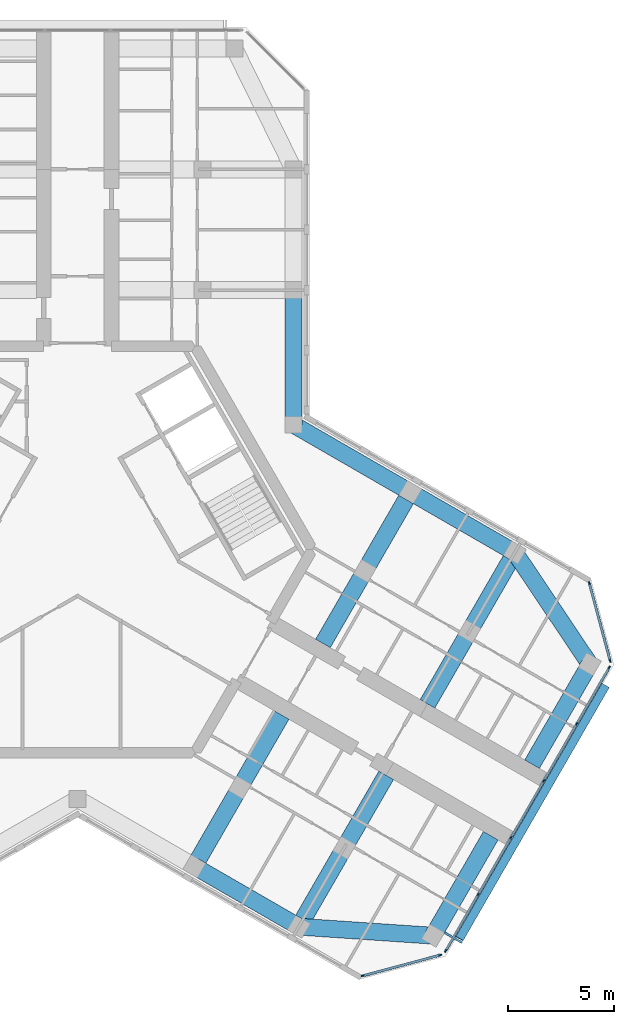
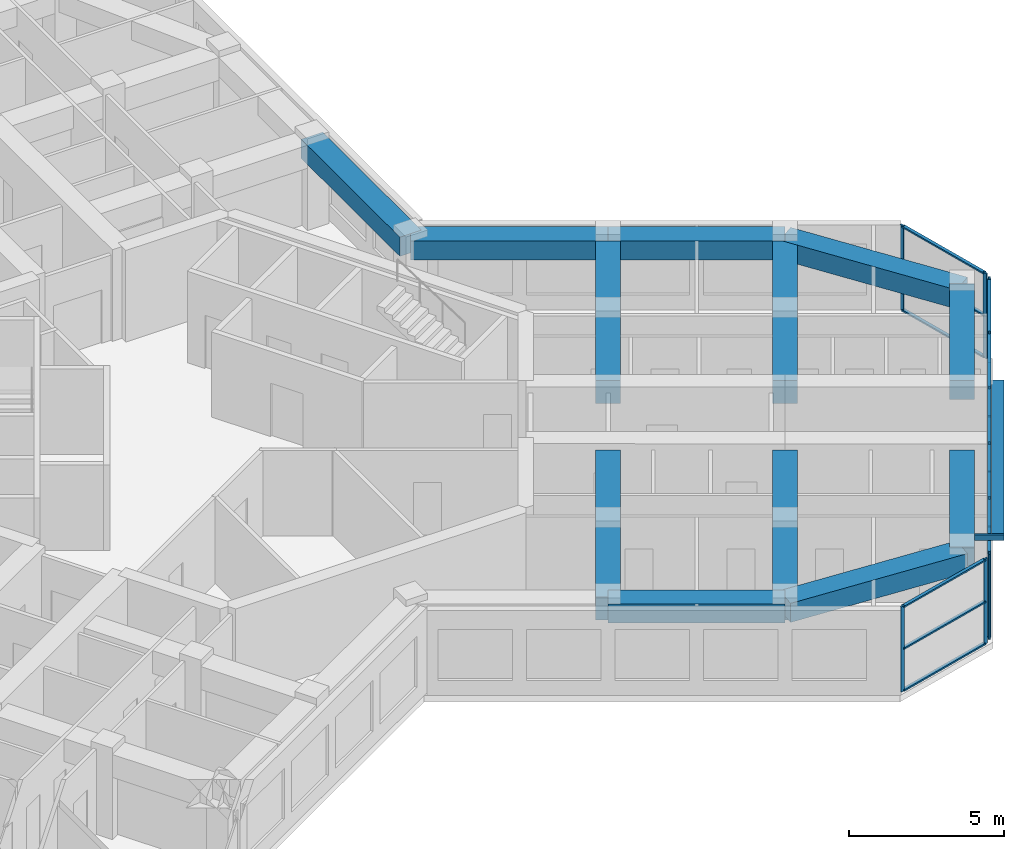
# One storey, part 4 of 14: 28 members, 12 beams, 3 elements without a shape of their own.
"""IFC4 building model written with IfcOpenShell, lengths in metres."""

from ifc_helpers import new_model, si_unit, direction, frame, origin, origin_2d, place, context, subcontext, project, spatial, rectangle, hollow_rectangle, extrude, material, material_profile, profile_set, type_object, element, aggregate, save


model = new_model("IFC4")

# Units and contexts
model_context = context("Model", 3, precision=1e-05, world=origin(), true_north=direction((0.0, 1.0)))
body_context = subcontext(model_context, "Body", "Model", "MODEL_VIEW")
ifc_project = project(units=[si_unit("LENGTHUNIT", "METRE"), si_unit("AREAUNIT", "SQUARE_METRE"), si_unit("VOLUMEUNIT", "CUBIC_METRE"), si_unit("PLANEANGLEUNIT", "RADIAN"), si_unit("MASSUNIT", "GRAM", prefix="KILO")], contexts=[model_context])

# Site, building, storey
site_placement = place(None, origin())
site = spatial("IfcSite", under=ifc_project, at=site_placement, CompositionType="ELEMENT")
building_placement = place(site_placement, origin())
building = spatial("IfcBuilding", under=site, at=building_placement, Name="Kosmar Iwan School Tower", CompositionType="ELEMENT")
storey_placement = place(building_placement, frame((0.0, 0.0, 289.0)))
storey = spatial("IfcBuildingStorey", under=building, at=storey_placement, Name="L73", CompositionType="ELEMENT", Elevation=289.0)

# Members
ifc_material_1 = material(Name="Black anodised aluminium", Category="aluminium")
ifc_material_profile_1 = material_profile(ifc_material_1, rectangle(XDim=0.10009765625, YDim=0.39990234375, at=origin_2d()), Name="FIN 100x400")
ifc_profile_set_1 = profile_set([ifc_material_profile_1], Name="Black anodised aluminium")
member_type_1 = type_object("IfcMemberType", Name="Diagonal fin 100x400", PredefinedType="USERDEFINED", material=ifc_profile_set_1)
member_1_placement = place(storey_placement, frame((24.926513671875, -6.426025390625, -0.14990234375), z_axis=(-0.483802480126, -0.837968840024, 0.252474520243), x_axis=(0.126237445008, 0.218649241594, 0.967603543104)))
element("IfcMember", 1, at=member_1_placement, inside=storey, type_object=member_type_1, Name="Diagonal fin L73-F03", ObjectType="FIN", PredefinedType="USERDEFINED", context=body_context, shape_type="SweptSolid", body=[
    extrude(rectangle(XDim=0.10009765625, YDim=0.39990234375, at=origin_2d()), origin(), (0.0, 0.0, 1.0), 14.25830078125),
])
ifc_material_2 = material(Name="Steel S355", Category="steel")
ifc_material_profile_2 = material_profile(ifc_material_2, hollow_rectangle(XDim=0.10009765625, YDim=0.199951171875, WallThickness=0.008056640625, at=origin_2d()), Name="RHS 200x100x8")
ifc_profile_set_2 = profile_set([ifc_material_profile_2], Name="Steel S355")
member_type_2 = type_object("IfcMemberType", Name="Fin bracket RHS 200x100", PredefinedType="USERDEFINED", material=ifc_profile_set_2)
member_2_placement = place(storey_placement, frame((17.327880859375, -18.087158203125, 3.47509765625), z_axis=(0.865988727248, -0.500063520245, 0.0), x_axis=(0.500063520245, 0.865988727248, 0.0)))
element("IfcMember", 2, at=member_2_placement, inside=storey, type_object=member_type_2, Name="Fin bracket L74", ObjectType="FIN BRACKET", PredefinedType="USERDEFINED", context=body_context, shape_type="SweptSolid", body=[
    extrude(hollow_rectangle(XDim=0.10009765625, YDim=0.199951171875, WallThickness=0.008056640625, at=origin_2d()), origin(), (0.0, 0.0, 1.0), 0.9501953125),
])

# Curtain wall, members
ifc_material_3 = material(Name="Dark glass in black aluminium frame", Category="aluminium")
curtain_wall_type_1 = type_object("IfcCurtainWallType", Name="Chamfer curtain wall dark glass", PredefinedType="USERDEFINED", material=ifc_material_3)
curtain_wall_1_placement = place(storey_placement, origin())
curtain_wall_1 = element("IfcCurtainWall", 3, at=curtain_wall_1_placement, inside=storey, type_object=curtain_wall_type_1, Name="Curtain wall L73-F02", ObjectType="FACETED CURTAIN WALL", PredefinedType="USERDEFINED")
ifc_material_4 = material(Name="Black anodised aluminium", Category="aluminium")
ifc_material_profile_3 = material_profile(ifc_material_4, rectangle(XDim=0.06005859375, YDim=0.159912109375, at=origin_2d()), Name="MULLION 60x160")
ifc_profile_set_3 = profile_set([ifc_material_profile_3], Name="Black anodised aluminium")
member_type_3 = type_object("IfcMemberType", Name="Mullion 60x160", PredefinedType="MULLION", material=ifc_profile_set_3)
member_3_placement = place(storey_placement, frame((13.466064453125, -20.127197265625, 0.0), z_axis=(0.0, 0.0, 1.0), x_axis=(-0.258818861462, 0.965925875495, 0.0)))
member_3 = element("IfcMember", 4, at=member_3_placement, type_object=member_type_3, Name="CW2 mullion 1", PredefinedType="MULLION", context=body_context, shape_type="SweptSolid", body=[
    extrude(rectangle(XDim=0.06005859375, YDim=0.159912109375, at=origin_2d()), origin(), (0.0, 0.0, 1.0), 3.35009765625),
])
member_4_placement = place(storey_placement, frame((17.1162109375, -19.149169921875, 0.0), z_axis=(0.0, 0.0, 1.0), x_axis=(-0.258818861462, 0.965925875495, 0.0)))
member_4 = element("IfcMember", 5, at=member_4_placement, type_object=member_type_3, Name="CW2 mullion 2", PredefinedType="MULLION", context=body_context, shape_type="SweptSolid", body=[
    extrude(rectangle(XDim=0.06005859375, YDim=0.159912109375, at=origin_2d()), origin(), (0.0, 0.0, 1.0), 3.35009765625),
])

ifc_material_5 = material(Name="Dark glass in black aluminium frame", Category="aluminium")
curtain_wall_type_2 = type_object("IfcCurtainWallType", Name="Tower curtain wall dark glass", PredefinedType="USERDEFINED", material=ifc_material_5)
curtain_wall_2_placement = place(storey_placement, origin())
curtain_wall_2 = element("IfcCurtainWall", 6, at=curtain_wall_2_placement, inside=storey, type_object=curtain_wall_type_2, Name="Curtain wall L73-F03", ObjectType="UNITISED CURTAIN WALL", PredefinedType="USERDEFINED")
member_5_placement = place(storey_placement, frame((17.380126953125, -18.94677734375, 0.0), z_axis=(0.0, 0.0, 1.0), x_axis=(-0.866025405329, 0.499999997325, 0.0)))
member_5 = element("IfcMember", 7, at=member_5_placement, type_object=member_type_3, Name="CW1 mullion 1", PredefinedType="MULLION", context=body_context, shape_type="SweptSolid", body=[
    extrude(rectangle(XDim=0.06005859375, YDim=0.159912109375, at=origin_2d()), origin(), (0.0, 0.0, 1.0), 3.35009765625),
])
member_6_placement = place(storey_placement, frame((18.914794921875, -16.28857421875, 0.0), z_axis=(0.0, 0.0, 1.0), x_axis=(-0.866025405329, 0.499999997325, 0.0)))
member_6 = element("IfcMember", 8, at=member_6_placement, type_object=member_type_3, Name="CW1 mullion 2", PredefinedType="MULLION", context=body_context, shape_type="SweptSolid", body=[
    extrude(rectangle(XDim=0.06005859375, YDim=0.159912109375, at=origin_2d()), origin(), (0.0, 0.0, 1.0), 3.35009765625),
])
member_7_placement = place(storey_placement, frame((20.46435546875, -13.6044921875, 0.0), z_axis=(0.0, 0.0, 1.0), x_axis=(-0.866025405329, 0.499999997325, 0.0)))
member_7 = element("IfcMember", 9, at=member_7_placement, type_object=member_type_3, Name="CW1 mullion 3", PredefinedType="MULLION", context=body_context, shape_type="SweptSolid", body=[
    extrude(rectangle(XDim=0.06005859375, YDim=0.159912109375, at=origin_2d()), origin(), (0.0, 0.0, 1.0), 3.35009765625),
])
member_8_placement = place(storey_placement, frame((22.01416015625, -10.92041015625, 0.0), z_axis=(0.0, 0.0, 1.0), x_axis=(-0.866025405329, 0.499999997325, 0.0)))
member_8 = element("IfcMember", 10, at=member_8_placement, type_object=member_type_3, Name="CW1 mullion 4", PredefinedType="MULLION", context=body_context, shape_type="SweptSolid", body=[
    extrude(rectangle(XDim=0.06005859375, YDim=0.159912109375, at=origin_2d()), origin(), (0.0, 0.0, 1.0), 3.35009765625),
])
member_9_placement = place(storey_placement, frame((23.563720703125, -8.236328125, 0.0), z_axis=(0.0, 0.0, 1.0), x_axis=(-0.866025405329, 0.499999997325, 0.0)))
member_9 = element("IfcMember", 11, at=member_9_placement, type_object=member_type_3, Name="CW1 mullion 5", PredefinedType="MULLION", context=body_context, shape_type="SweptSolid", body=[
    extrude(rectangle(XDim=0.06005859375, YDim=0.159912109375, at=origin_2d()), origin(), (0.0, 0.0, 1.0), 3.35009765625),
])
member_10_placement = place(storey_placement, frame((25.098388671875, -5.578369140625, 0.0), z_axis=(0.0, 0.0, 1.0), x_axis=(-0.866025405329, 0.499999997325, 0.0)))
member_10 = element("IfcMember", 12, at=member_10_placement, type_object=member_type_3, Name="CW1 mullion 6", PredefinedType="MULLION", context=body_context, shape_type="SweptSolid", body=[
    extrude(rectangle(XDim=0.06005859375, YDim=0.159912109375, at=origin_2d()), origin(), (0.0, 0.0, 1.0), 3.35009765625),
])

curtain_wall_3_placement = place(storey_placement, origin())
curtain_wall_3 = element("IfcCurtainWall", 13, at=curtain_wall_3_placement, inside=storey, type_object=curtain_wall_type_1, Name="Curtain wall L73-F04", ObjectType="FACETED CURTAIN WALL", PredefinedType="USERDEFINED")
member_11_placement = place(storey_placement, frame((25.141845703125, -5.24853515625, 0.0), z_axis=(0.0, 0.0, 1.0), x_axis=(-0.965925875495, -0.258818861462, 0.0)))
member_11 = element("IfcMember", 14, at=member_11_placement, type_object=member_type_3, Name="CW2 mullion 1", PredefinedType="MULLION", context=body_context, shape_type="SweptSolid", body=[
    extrude(rectangle(XDim=0.06005859375, YDim=0.159912109375, at=origin_2d()), origin(), (0.0, 0.0, 1.0), 3.35009765625),
])
member_12_placement = place(storey_placement, frame((24.163818359375, -1.59814453125, 0.0), z_axis=(0.0, 0.0, 1.0), x_axis=(-0.965925875495, -0.258818861462, 0.0)))
member_12 = element("IfcMember", 15, at=member_12_placement, type_object=member_type_3, Name="CW2 mullion 2", PredefinedType="MULLION", context=body_context, shape_type="SweptSolid", body=[
    extrude(rectangle(XDim=0.06005859375, YDim=0.159912109375, at=origin_2d()), origin(), (0.0, 0.0, 1.0), 3.35009765625),
])

# Beams
ifc_material_6 = material(Name="Concrete C50/60", Category="concrete")
ifc_material_profile_4 = material_profile(ifc_material_6, rectangle(XDim=0.800048828125, YDim=0.75, at=origin_2d()), Name="RC 800x750")
ifc_profile_set_4 = profile_set([ifc_material_profile_4], Name="Concrete C50/60")
beam_type_1 = type_object("IfcBeamType", Name="RC edge beam 800x750", PredefinedType="BEAM", material=ifc_profile_set_4)
beam_1_placement = place(storey_placement, frame((10.199951171875, 5.888916015625, 2.97509765625), z_axis=(0.0, 1.0, 0.0), x_axis=(-1.0, 0.0, 0.0)))
element("IfcBeam", 16, at=beam_1_placement, inside=storey, type_object=beam_type_1, Name="Edge beam AR1", PredefinedType="BEAM", context=body_context, shape_type="SweptSolid", body=[
    extrude(rectangle(XDim=0.800048828125, YDim=0.75, at=origin_2d()), origin(), (0.0, 0.0, 1.0), 6.361083984375),
])
beam_2_placement = place(storey_placement, frame((10.199951171875, 5.888916015625, 2.97509765625), z_axis=(0.866030912664, -0.49999045822, 0.0), x_axis=(0.49999045822, 0.866030912664, 0.0)))
element("IfcBeam", 17, at=beam_2_placement, inside=storey, type_object=beam_type_1, Name="Edge beam CL1", PredefinedType="BEAM", context=body_context, shape_type="SweptSolid", body=[
    extrude(rectangle(XDim=0.800048828125, YDim=0.75, at=origin_2d()), origin(), (0.0, 0.0, 1.0), 6.36083984375),
])
beam_3_placement = place(storey_placement, frame((15.708740234375, 2.70849609375, 2.97509765625), z_axis=(0.866025820012, -0.499999279071, 0.0), x_axis=(0.499999279071, 0.866025820012, 0.0)))
element("IfcBeam", 18, at=beam_3_placement, inside=storey, type_object=beam_type_1, Name="Edge beam CL2", PredefinedType="BEAM", context=body_context, shape_type="SweptSolid", body=[
    extrude(rectangle(XDim=0.800048828125, YDim=0.75, at=origin_2d()), origin(), (0.0, 0.0, 1.0), 5.7001953125),
])
beam_4_placement = place(storey_placement, frame((5.5087890625, -14.95849609375, 2.97509765625), z_axis=(0.866033658841, -0.49998570155, 0.0), x_axis=(0.49998570155, 0.866033658841, 0.0)))
element("IfcBeam", 19, at=beam_4_placement, inside=storey, type_object=beam_type_1, Name="Edge beam CR2", PredefinedType="BEAM", context=body_context, shape_type="SweptSolid", body=[
    extrude(rectangle(XDim=0.800048828125, YDim=0.75, at=origin_2d()), origin(), (0.0, 0.0, 1.0), 5.699951171875),
])
ifc_material_7 = material(Name="Concrete C50/60", Category="concrete")
ifc_material_profile_5 = material_profile(ifc_material_7, rectangle(XDim=0.800048828125, YDim=0.75, at=origin_2d()), Name="RC 800x750")
ifc_profile_set_5 = profile_set([ifc_material_profile_5], Name="Concrete C50/60")
beam_type_2 = type_object("IfcBeamType", Name="RC tip beam 800x750", PredefinedType="BEAM", material=ifc_profile_set_5)
beam_5_placement = place(storey_placement, frame((20.645263671875, -0.1416015625, 2.97509765625), z_axis=(0.556827604145, -0.83062808721, 0.0), x_axis=(0.83062808721, 0.556827604145, 0.0)))
element("IfcBeam", 20, at=beam_5_placement, inside=storey, type_object=beam_type_2, Name="Tip beam CL", PredefinedType="BEAM", context=body_context, shape_type="SweptSolid", body=[
    extrude(rectangle(XDim=0.800048828125, YDim=0.75, at=origin_2d()), origin(), (0.0, 0.0, 1.0), 6.3505859375),
])
beam_6_placement = place(storey_placement, frame((24.181396484375, -5.41650390625, 2.97509765625), z_axis=(-0.499988730927, -0.866031909889, 0.0), x_axis=(0.866031909889, -0.499988730927, 0.0)))
element("IfcBeam", 21, at=beam_6_placement, inside=storey, type_object=beam_type_2, Name="Tip beam CL to corridor wall", PredefinedType="BEAM", context=body_context, shape_type="SweptSolid", body=[
    extrude(rectangle(XDim=0.800048828125, YDim=0.75, at=origin_2d()), origin(), (0.0, 0.0, 1.0), 5.449951171875),
])
beam_7_placement = place(storey_placement, frame((10.445068359375, -17.808349609375, 2.97509765625), z_axis=(0.997755118724, -0.066968074933, 0.0), x_axis=(0.066968074933, 0.997755118724, 0.0)))
element("IfcBeam", 22, at=beam_7_placement, inside=storey, type_object=beam_type_2, Name="Tip beam CR", PredefinedType="BEAM", context=body_context, shape_type="SweptSolid", body=[
    extrude(rectangle(XDim=0.800048828125, YDim=0.75, at=origin_2d()), origin(), (0.0, 0.0, 1.0), 6.3505859375),
])
beam_8_placement = place(storey_placement, frame((16.781494140625, -18.233642578125, 2.97509765625), z_axis=(0.500002931134, 0.866023711487, 0.0), x_axis=(-0.866023711487, 0.500002931134, 0.0)))
element("IfcBeam", 23, at=beam_8_placement, inside=storey, type_object=beam_type_2, Name="Tip beam CR to corridor wall", PredefinedType="BEAM", context=body_context, shape_type="SweptSolid", body=[
    extrude(rectangle(XDim=0.800048828125, YDim=0.75, at=origin_2d()), origin(), (0.0, 0.0, 1.0), 5.4501953125),
])
ifc_material_8 = material(Name="Concrete C50/60", Category="concrete")
ifc_material_profile_6 = material_profile(ifc_material_8, rectangle(XDim=0.800048828125, YDim=0.89990234375, at=origin_2d()), Name="RC 800x900")
ifc_profile_set_6 = profile_set([ifc_material_profile_6], Name="Concrete C50/60")
beam_type_3 = type_object("IfcBeamType", Name="RC transverse beam 800x900", PredefinedType="BEAM", material=ifc_profile_set_6)
beam_9_placement = place(storey_placement, frame((15.708740234375, 2.70849609375, 2.89990234375), z_axis=(-0.499996545922, -0.866027397988, 0.0), x_axis=(0.866027397988, -0.499996545922, 0.0)))
element("IfcBeam", 24, at=beam_9_placement, inside=storey, type_object=beam_type_3, Name="Transverse beam CL1", PredefinedType="BEAM", context=body_context, shape_type="SweptSolid", body=[
    extrude(rectangle(XDim=0.800048828125, YDim=0.89990234375, at=origin_2d()), origin(), (0.0, 0.0, 1.0), 8.25),
])
beam_10_placement = place(storey_placement, frame((20.645263671875, -0.1416015625, 2.89990234375), z_axis=(-0.500009360108, -0.866019999656, 0.0), x_axis=(0.866019999656, -0.500009360108, 0.0)))
element("IfcBeam", 25, at=beam_10_placement, inside=storey, type_object=beam_type_3, Name="Transverse beam CL2", PredefinedType="BEAM", context=body_context, shape_type="SweptSolid", body=[
    extrude(rectangle(XDim=0.800048828125, YDim=0.89990234375, at=origin_2d()), origin(), (0.0, 0.0, 1.0), 8.249755859375),
])
beam_11_placement = place(storey_placement, frame((5.5087890625, -14.95849609375, 2.89990234375), z_axis=(0.499996545922, 0.866027397988, 0.0), x_axis=(-0.866027397988, 0.499996545922, 0.0)))
element("IfcBeam", 26, at=beam_11_placement, inside=storey, type_object=beam_type_3, Name="Transverse beam CR1", PredefinedType="BEAM", context=body_context, shape_type="SweptSolid", body=[
    extrude(rectangle(XDim=0.800048828125, YDim=0.89990234375, at=origin_2d()), origin(), (0.0, 0.0, 1.0), 8.25),
])
beam_12_placement = place(storey_placement, frame((10.445068359375, -17.808349609375, 2.89990234375), z_axis=(0.500009360108, 0.866019999656, 0.0), x_axis=(-0.866019999656, 0.500009360108, 0.0)))
element("IfcBeam", 27, at=beam_12_placement, inside=storey, type_object=beam_type_3, Name="Transverse beam CR2", PredefinedType="BEAM", context=body_context, shape_type="SweptSolid", body=[
    extrude(rectangle(XDim=0.800048828125, YDim=0.89990234375, at=origin_2d()), origin(), (0.0, 0.0, 1.0), 8.249755859375),
])

# Member
ifc_material_9 = material(Name="Black anodised aluminium", Category="aluminium")
ifc_material_profile_7 = material_profile(ifc_material_9, rectangle(XDim=0.1201171875, YDim=0.06005859375, at=origin_2d()), Name="TRANSOM 60x120")
ifc_profile_set_7 = profile_set([ifc_material_profile_7], Name="Black anodised aluminium")
member_type_4 = type_object("IfcMemberType", Name="Transom 60x120", PredefinedType="USERDEFINED", material=ifc_profile_set_7)
member_13_placement = place(storey_placement, frame((13.494873046875, -20.119384765625, 0.030029296875), z_axis=(0.965940141052, 0.258765615768, 0.0), x_axis=(-0.258765615768, 0.965940141052, 0.0)))
member_13 = element("IfcMember", 28, at=member_13_placement, type_object=member_type_4, Name="CW2 transom 1.1", ObjectType="TRANSOM", PredefinedType="USERDEFINED", context=body_context, shape_type="SweptSolid", body=[
    extrude(rectangle(XDim=0.1201171875, YDim=0.06005859375, at=origin_2d()), origin(), (0.0, 0.0, 1.0), 3.71923828125),
])

member_14_placement = place(storey_placement, frame((13.494873046875, -20.119384765625, 1.675048828125), z_axis=(0.965940141052, 0.258765615768, 0.0), x_axis=(-0.258765615768, 0.965940141052, 0.0)))
member_14 = element("IfcMember", 29, at=member_14_placement, type_object=member_type_4, Name="CW2 transom 1.2", ObjectType="TRANSOM", PredefinedType="USERDEFINED", context=body_context, shape_type="SweptSolid", body=[
    extrude(rectangle(XDim=0.1201171875, YDim=0.06005859375, at=origin_2d()), origin(), (0.0, 0.0, 1.0), 3.71923828125),
])

member_15_placement = place(storey_placement, frame((13.494873046875, -20.119384765625, 3.320068359375), z_axis=(0.965940141052, 0.258765615768, 0.0), x_axis=(-0.258765615768, 0.965940141052, 0.0)))
member_15 = element("IfcMember", 30, at=member_15_placement, type_object=member_type_4, Name="CW2 transom 1.3", ObjectType="TRANSOM", PredefinedType="USERDEFINED", context=body_context, shape_type="SweptSolid", body=[
    extrude(rectangle(XDim=0.1201171875, YDim=0.06005859375, at=origin_2d()), origin(), (0.0, 0.0, 1.0), 3.71923828125),
])

aggregate(curtain_wall_1, [member_3, member_4, member_13, member_14, member_15])

member_16_placement = place(storey_placement, frame((17.395263671875, -18.920654296875, 0.030029296875), z_axis=(0.500022102064, 0.866012642776, 0.0), x_axis=(-0.866012642776, 0.500022102064, 0.0)))
member_16 = element("IfcMember", 31, at=member_16_placement, type_object=member_type_4, Name="CW1 transom 1.1", ObjectType="TRANSOM", PredefinedType="USERDEFINED", context=body_context, shape_type="SweptSolid", body=[
    extrude(rectangle(XDim=0.1201171875, YDim=0.06005859375, at=origin_2d()), origin(), (0.0, 0.0, 1.0), 3.009033203125),
])

member_17_placement = place(storey_placement, frame((17.395263671875, -18.920654296875, 3.320068359375), z_axis=(0.500022102064, 0.866012642776, 0.0), x_axis=(-0.866012642776, 0.500022102064, 0.0)))
member_17 = element("IfcMember", 32, at=member_17_placement, type_object=member_type_4, Name="CW1 transom 1.2", ObjectType="TRANSOM", PredefinedType="USERDEFINED", context=body_context, shape_type="SweptSolid", body=[
    extrude(rectangle(XDim=0.1201171875, YDim=0.06005859375, at=origin_2d()), origin(), (0.0, 0.0, 1.0), 3.009033203125),
])

member_18_placement = place(storey_placement, frame((18.9296875, -16.2626953125, 0.030029296875), z_axis=(0.500035348339, 0.866004994449, 0.0), x_axis=(-0.866004994449, 0.500035348339, 0.0)))
member_18 = element("IfcMember", 33, at=member_18_placement, type_object=member_type_4, Name="CW1 transom 2.1", ObjectType="TRANSOM", PredefinedType="USERDEFINED", context=body_context, shape_type="SweptSolid", body=[
    extrude(rectangle(XDim=0.1201171875, YDim=0.06005859375, at=origin_2d()), origin(), (0.0, 0.0, 1.0), 3.039306640625),
])

member_19_placement = place(storey_placement, frame((18.9296875, -16.2626953125, 3.320068359375), z_axis=(0.500035348339, 0.866004994449, 0.0), x_axis=(-0.866004994449, 0.500035348339, 0.0)))
member_19 = element("IfcMember", 34, at=member_19_placement, type_object=member_type_4, Name="CW1 transom 2.2", ObjectType="TRANSOM", PredefinedType="USERDEFINED", context=body_context, shape_type="SweptSolid", body=[
    extrude(rectangle(XDim=0.1201171875, YDim=0.06005859375, at=origin_2d()), origin(), (0.0, 0.0, 1.0), 3.039306640625),
])

member_20_placement = place(storey_placement, frame((20.4794921875, -13.57861328125, 0.030029296875), z_axis=(0.499975102327, 0.866039777986, 0.0), x_axis=(-0.866039777986, 0.499975102327, 0.0)))
member_20 = element("IfcMember", 35, at=member_20_placement, type_object=member_type_4, Name="CW1 transom 3.1", ObjectType="TRANSOM", PredefinedType="USERDEFINED", context=body_context, shape_type="SweptSolid", body=[
    extrude(rectangle(XDim=0.1201171875, YDim=0.06005859375, at=origin_2d()), origin(), (0.0, 0.0, 1.0), 3.039306640625),
])

member_21_placement = place(storey_placement, frame((20.4794921875, -13.57861328125, 3.320068359375), z_axis=(0.499975102327, 0.866039777986, 0.0), x_axis=(-0.866039777986, 0.499975102327, 0.0)))
member_21 = element("IfcMember", 36, at=member_21_placement, type_object=member_type_4, Name="CW1 transom 3.2", ObjectType="TRANSOM", PredefinedType="USERDEFINED", context=body_context, shape_type="SweptSolid", body=[
    extrude(rectangle(XDim=0.1201171875, YDim=0.06005859375, at=origin_2d()), origin(), (0.0, 0.0, 1.0), 3.039306640625),
])

member_22_placement = place(storey_placement, frame((22.029052734375, -10.89453125, 0.030029296875), z_axis=(0.500035348339, 0.866004994449, 0.0), x_axis=(-0.866004994449, 0.500035348339, 0.0)))
member_22 = element("IfcMember", 37, at=member_22_placement, type_object=member_type_4, Name="CW1 transom 4.1", ObjectType="TRANSOM", PredefinedType="USERDEFINED", context=body_context, shape_type="SweptSolid", body=[
    extrude(rectangle(XDim=0.1201171875, YDim=0.06005859375, at=origin_2d()), origin(), (0.0, 0.0, 1.0), 3.039306640625),
])

member_23_placement = place(storey_placement, frame((22.029052734375, -10.89453125, 3.320068359375), z_axis=(0.500035348339, 0.866004994449, 0.0), x_axis=(-0.866004994449, 0.500035348339, 0.0)))
member_23 = element("IfcMember", 38, at=member_23_placement, type_object=member_type_4, Name="CW1 transom 4.2", ObjectType="TRANSOM", PredefinedType="USERDEFINED", context=body_context, shape_type="SweptSolid", body=[
    extrude(rectangle(XDim=0.1201171875, YDim=0.06005859375, at=origin_2d()), origin(), (0.0, 0.0, 1.0), 3.039306640625),
])

member_24_placement = place(storey_placement, frame((23.578857421875, -8.21044921875, 0.030029296875), z_axis=(0.499986971506, 0.866032925658, 0.0), x_axis=(-0.866032925658, 0.499986971506, 0.0)))
member_24 = element("IfcMember", 39, at=member_24_placement, type_object=member_type_4, Name="CW1 transom 5.1", ObjectType="TRANSOM", PredefinedType="USERDEFINED", context=body_context, shape_type="SweptSolid", body=[
    extrude(rectangle(XDim=0.1201171875, YDim=0.06005859375, at=origin_2d()), origin(), (0.0, 0.0, 1.0), 3.00927734375),
])

member_25_placement = place(storey_placement, frame((23.578857421875, -8.21044921875, 3.320068359375), z_axis=(0.499986971506, 0.866032925658, 0.0), x_axis=(-0.866032925658, 0.499986971506, 0.0)))
member_25 = element("IfcMember", 40, at=member_25_placement, type_object=member_type_4, Name="CW1 transom 5.2", ObjectType="TRANSOM", PredefinedType="USERDEFINED", context=body_context, shape_type="SweptSolid", body=[
    extrude(rectangle(XDim=0.1201171875, YDim=0.06005859375, at=origin_2d()), origin(), (0.0, 0.0, 1.0), 3.00927734375),
])

aggregate(curtain_wall_2, [member_5, member_6, member_7, member_8, member_9, member_10, member_16, member_17, member_18, member_19, member_20, member_21, member_22, member_23, member_24, member_25])

member_26_placement = place(storey_placement, frame((25.134033203125, -5.219482421875, 0.030029296875), z_axis=(-0.258843273983, 0.965919333854, 0.0), x_axis=(-0.965919333854, -0.258843273983, 0.0)))
member_26 = element("IfcMember", 41, at=member_26_placement, type_object=member_type_4, Name="CW2 transom 1.1", ObjectType="TRANSOM", PredefinedType="USERDEFINED", context=body_context, shape_type="SweptSolid", body=[
    extrude(rectangle(XDim=0.1201171875, YDim=0.06005859375, at=origin_2d()), origin(), (0.0, 0.0, 1.0), 3.718994140625),
])

member_27_placement = place(storey_placement, frame((25.134033203125, -5.219482421875, 1.675048828125), z_axis=(-0.258843273983, 0.965919333854, 0.0), x_axis=(-0.965919333854, -0.258843273983, 0.0)))
member_27 = element("IfcMember", 42, at=member_27_placement, type_object=member_type_4, Name="CW2 transom 1.2", ObjectType="TRANSOM", PredefinedType="USERDEFINED", context=body_context, shape_type="SweptSolid", body=[
    extrude(rectangle(XDim=0.1201171875, YDim=0.06005859375, at=origin_2d()), origin(), (0.0, 0.0, 1.0), 3.718994140625),
])

member_28_placement = place(storey_placement, frame((25.134033203125, -5.219482421875, 3.320068359375), z_axis=(-0.258843273983, 0.965919333854, 0.0), x_axis=(-0.965919333854, -0.258843273983, 0.0)))
member_28 = element("IfcMember", 43, at=member_28_placement, type_object=member_type_4, Name="CW2 transom 1.3", ObjectType="TRANSOM", PredefinedType="USERDEFINED", context=body_context, shape_type="SweptSolid", body=[
    extrude(rectangle(XDim=0.1201171875, YDim=0.06005859375, at=origin_2d()), origin(), (0.0, 0.0, 1.0), 3.718994140625),
])

aggregate(curtain_wall_3, [member_11, member_12, member_26, member_27, member_28])

save(model, "model.ifc")
